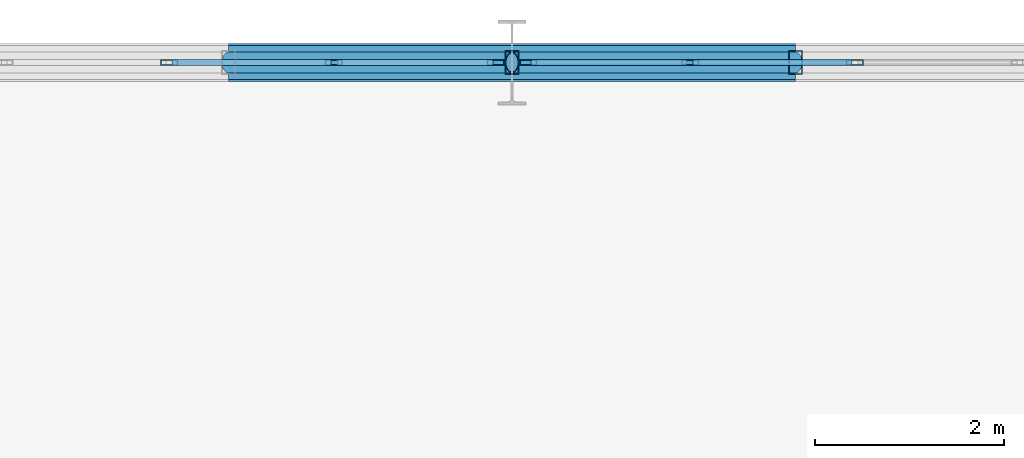
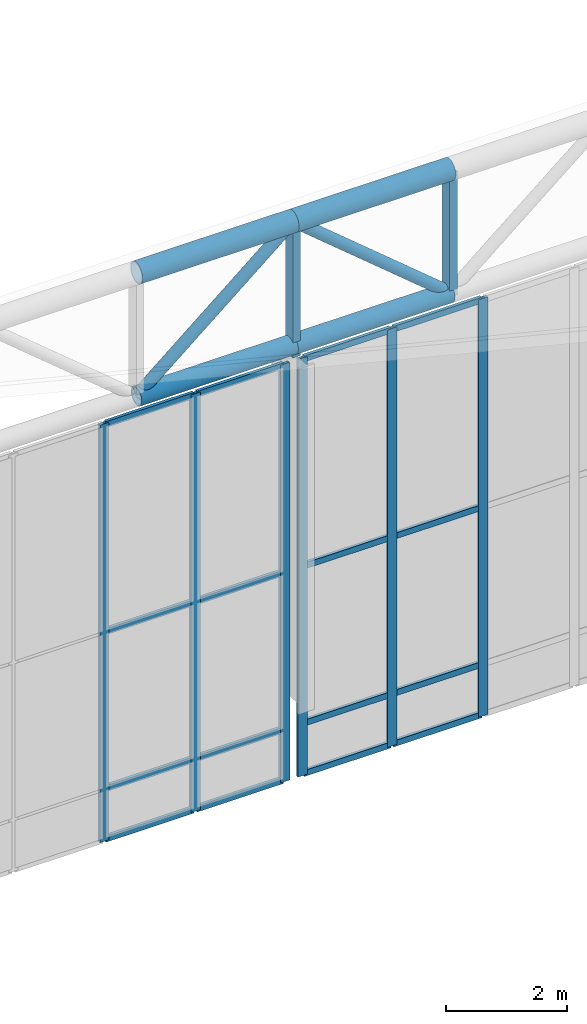
# One storey, part 133 of 239: 30 members, 2 elements without a shape of their own.
"""IFC4 building model written with IfcOpenShell, lengths in metres."""

from ifc_helpers import new_model, si_unit, direction, frame, origin, origin_2d, place, context, subcontext, project, spatial, hollow_rectangle, hollow_circle, extrude, material, material_profile, profile_set, type_object, element, aggregate, save


model = new_model("IFC4")

# Units and contexts
model_context = context("Model", 3, precision=1e-05, world=origin(), true_north=direction((0.0, 1.0)))
body_context = subcontext(model_context, "Body", "Model", "MODEL_VIEW")
ifc_project = project(units=[si_unit("LENGTHUNIT", "METRE"), si_unit("AREAUNIT", "SQUARE_METRE"), si_unit("VOLUMEUNIT", "CUBIC_METRE"), si_unit("PLANEANGLEUNIT", "RADIAN"), si_unit("MASSUNIT", "GRAM", prefix="KILO")], contexts=[model_context])

# Site, building, storey
site_placement = place(None, origin())
site = spatial("IfcSite", under=ifc_project, at=site_placement, CompositionType="ELEMENT")
building_placement = place(site_placement, origin())
building = spatial("IfcBuilding", under=site, at=building_placement, Name="Kaldris Quays Convention Centre", CompositionType="ELEMENT")
storey_placement = place(building_placement, frame((0.0, 0.0, 11.39990234375)))
storey = spatial("IfcBuildingStorey", under=building, at=storey_placement, Name="L02", CompositionType="ELEMENT", Elevation=11.39990234375)

# Curtain wall, members
ifc_material_1 = material(Name="Anodized aluminium AW-6060 and triple glazing", Category="aluminium")
curtain_wall_type = type_object("IfcCurtainWallType", Name="UNITISED CURTAIN WALL CW03", PredefinedType="NOTDEFINED", material=ifc_material_1)
curtain_wall_1_placement = place(storey_placement, origin())
curtain_wall_1 = element("IfcCurtainWall", 1, at=curtain_wall_1_placement, inside=storey, type_object=curtain_wall_type, Name="L02 Unitised Curtain Wall CW03 248", PredefinedType="NOTDEFINED")
ifc_material_2 = material(Name="Anodized aluminium AW-6060", Category="aluminium")
ifc_material_profile_1 = material_profile(ifc_material_2, hollow_rectangle(XDim=0.06005859375, YDim=0.179931640625, WallThickness=0.0048828125, at=origin_2d()), Name="RHS 180x60x5")
ifc_profile_set_1 = profile_set([ifc_material_profile_1], Name="Anodized aluminium AW-6060")
member_type_1 = type_object("IfcMemberType", Name="CURTAIN MULLION CWM2", PredefinedType="MULLION", material=ifc_profile_set_1)
member_1_placement = place(storey_placement, frame((115.3720703125, 140.0, -1.60498046875), z_axis=(0.0, 0.0, 1.0), x_axis=(0.0, 1.0, 0.0)))
member_1 = element("IfcMember", 2, at=member_1_placement, type_object=member_type_1, Name="CW03 mullion 4", PredefinedType="MULLION", context=body_context, shape_type="SweptSolid", body=[
    extrude(hollow_rectangle(XDim=0.06005859375, YDim=0.179931640625, WallThickness=0.0048828125, at=origin_2d()), origin(), (0.0, 0.0, 1.0), 8.455078125),
])
member_2_placement = place(storey_placement, frame((117.115966796875, 140.0, -1.60498046875), z_axis=(0.0, 0.0, 1.0), x_axis=(0.0, 1.0, 0.0)))
member_2 = element("IfcMember", 3, at=member_2_placement, type_object=member_type_1, Name="CW03 mullion 5", PredefinedType="MULLION", context=body_context, shape_type="SweptSolid", body=[
    extrude(hollow_rectangle(XDim=0.06005859375, YDim=0.179931640625, WallThickness=0.0048828125, at=origin_2d()), origin(), (0.0, 0.0, 1.0), 8.455078125),
])
member_3_placement = place(storey_placement, frame((118.830078125, 140.0, -1.60498046875), z_axis=(0.0, 0.0, 1.0), x_axis=(0.0, 1.0, 0.0)))
member_3 = element("IfcMember", 4, at=member_3_placement, type_object=member_type_1, Name="CW03 mullion 6", PredefinedType="MULLION", context=body_context, shape_type="SweptSolid", body=[
    extrude(hollow_rectangle(XDim=0.06005859375, YDim=0.179931640625, WallThickness=0.0048828125, at=origin_2d()), origin(), (0.0, 0.0, 1.0), 8.455078125),
])

curtain_wall_2_placement = place(storey_placement, origin())
curtain_wall_2 = element("IfcCurtainWall", 5, at=curtain_wall_2_placement, inside=storey, type_object=curtain_wall_type, Name="L02 Unitised Curtain Wall CW03 250", PredefinedType="NOTDEFINED")
member_4_placement = place(storey_placement, frame((119.169921875, 140.0, -1.60498046875), z_axis=(0.0, 0.0, 1.0), x_axis=(0.0, 1.0, 0.0)))
member_4 = element("IfcMember", 6, at=member_4_placement, type_object=member_type_1, Name="CW03 mullion 1", PredefinedType="MULLION", context=body_context, shape_type="SweptSolid", body=[
    extrude(hollow_rectangle(XDim=0.06005859375, YDim=0.179931640625, WallThickness=0.0048828125, at=origin_2d()), origin(), (0.0, 0.0, 1.0), 8.455078125),
])
member_5_placement = place(storey_placement, frame((120.884033203125, 140.0, -1.60498046875), z_axis=(0.0, 0.0, 1.0), x_axis=(0.0, 1.0, 0.0)))
member_5 = element("IfcMember", 7, at=member_5_placement, type_object=member_type_1, Name="CW03 mullion 2", PredefinedType="MULLION", context=body_context, shape_type="SweptSolid", body=[
    extrude(hollow_rectangle(XDim=0.06005859375, YDim=0.179931640625, WallThickness=0.0048828125, at=origin_2d()), origin(), (0.0, 0.0, 1.0), 8.455078125),
])
member_6_placement = place(storey_placement, frame((122.6279296875, 140.0, -1.60498046875), z_axis=(0.0, 0.0, 1.0), x_axis=(0.0, 1.0, 0.0)))
member_6 = element("IfcMember", 8, at=member_6_placement, type_object=member_type_1, Name="CW03 mullion 3", PredefinedType="MULLION", context=body_context, shape_type="SweptSolid", body=[
    extrude(hollow_rectangle(XDim=0.06005859375, YDim=0.179931640625, WallThickness=0.0048828125, at=origin_2d()), origin(), (0.0, 0.0, 1.0), 8.455078125),
])

# Member
ifc_material_profile_2 = material_profile(ifc_material_2, hollow_rectangle(XDim=0.06005859375, YDim=0.1201171875, WallThickness=0.00390625, at=origin_2d()), Name="RHS 120x60x4")
ifc_profile_set_2 = profile_set([ifc_material_profile_2], Name="Anodized aluminium AW-6060")
member_type_2 = type_object("IfcMemberType", Name="CURTAIN TRANSOM CWT1", PredefinedType="USERDEFINED", material=ifc_profile_set_2)
member_7_placement = place(storey_placement, frame((115.402099609375, 140.0, -1.574951171875), z_axis=(1.0, 0.0, 0.0), x_axis=(0.0, 1.0, 0.0)))
member_7 = element("IfcMember", 9, at=member_7_placement, type_object=member_type_2, Name="CW03 transom 4.1", ObjectType="TRANSOM", PredefinedType="USERDEFINED", context=body_context, shape_type="SweptSolid", body=[
    extrude(hollow_rectangle(XDim=0.06005859375, YDim=0.1201171875, WallThickness=0.00390625, at=origin_2d()), origin(), (0.0, 0.0, 1.0), 1.683837890625),
])

member_8_placement = place(storey_placement, frame((115.402099609375, 140.0, -0.554931640625), z_axis=(1.0, 0.0, 0.0), x_axis=(0.0, 1.0, 0.0)))
member_8 = element("IfcMember", 10, at=member_8_placement, type_object=member_type_2, Name="CW03 transom 4.2", ObjectType="TRANSOM", PredefinedType="USERDEFINED", context=body_context, shape_type="SweptSolid", body=[
    extrude(hollow_rectangle(XDim=0.06005859375, YDim=0.1201171875, WallThickness=0.00390625, at=origin_2d()), origin(), (0.0, 0.0, 1.0), 1.683837890625),
])

member_9_placement = place(storey_placement, frame((115.402099609375, 140.0, 2.623046875), z_axis=(1.0, 0.0, 0.0), x_axis=(0.0, 1.0, 0.0)))
member_9 = element("IfcMember", 11, at=member_9_placement, type_object=member_type_2, Name="CW03 transom 4.3", ObjectType="TRANSOM", PredefinedType="USERDEFINED", context=body_context, shape_type="SweptSolid", body=[
    extrude(hollow_rectangle(XDim=0.06005859375, YDim=0.1201171875, WallThickness=0.00390625, at=origin_2d()), origin(), (0.0, 0.0, 1.0), 1.683837890625),
])

member_10_placement = place(storey_placement, frame((115.402099609375, 140.0, 6.820068359375), z_axis=(1.0, 0.0, 0.0), x_axis=(0.0, 1.0, 0.0)))
member_10 = element("IfcMember", 12, at=member_10_placement, type_object=member_type_2, Name="CW03 transom 4.4", ObjectType="TRANSOM", PredefinedType="USERDEFINED", context=body_context, shape_type="SweptSolid", body=[
    extrude(hollow_rectangle(XDim=0.06005859375, YDim=0.1201171875, WallThickness=0.00390625, at=origin_2d()), origin(), (0.0, 0.0, 1.0), 1.683837890625),
])

member_11_placement = place(storey_placement, frame((117.14599609375, 140.0, -1.574951171875), z_axis=(1.0, 0.0, 0.0), x_axis=(0.0, 1.0, 0.0)))
member_11 = element("IfcMember", 13, at=member_11_placement, type_object=member_type_2, Name="CW03 transom 5.1", ObjectType="TRANSOM", PredefinedType="USERDEFINED", context=body_context, shape_type="SweptSolid", body=[
    extrude(hollow_rectangle(XDim=0.06005859375, YDim=0.1201171875, WallThickness=0.00390625, at=origin_2d()), origin(), (0.0, 0.0, 1.0), 1.654052734375),
])

member_12_placement = place(storey_placement, frame((117.14599609375, 140.0, -0.554931640625), z_axis=(1.0, 0.0, 0.0), x_axis=(0.0, 1.0, 0.0)))
member_12 = element("IfcMember", 14, at=member_12_placement, type_object=member_type_2, Name="CW03 transom 5.2", ObjectType="TRANSOM", PredefinedType="USERDEFINED", context=body_context, shape_type="SweptSolid", body=[
    extrude(hollow_rectangle(XDim=0.06005859375, YDim=0.1201171875, WallThickness=0.00390625, at=origin_2d()), origin(), (0.0, 0.0, 1.0), 1.654052734375),
])

member_13_placement = place(storey_placement, frame((117.14599609375, 140.0, 2.623046875), z_axis=(1.0, 0.0, 0.0), x_axis=(0.0, 1.0, 0.0)))
member_13 = element("IfcMember", 15, at=member_13_placement, type_object=member_type_2, Name="CW03 transom 5.3", ObjectType="TRANSOM", PredefinedType="USERDEFINED", context=body_context, shape_type="SweptSolid", body=[
    extrude(hollow_rectangle(XDim=0.06005859375, YDim=0.1201171875, WallThickness=0.00390625, at=origin_2d()), origin(), (0.0, 0.0, 1.0), 1.654052734375),
])

member_14_placement = place(storey_placement, frame((117.14599609375, 140.0, 6.820068359375), z_axis=(1.0, 0.0, 0.0), x_axis=(0.0, 1.0, 0.0)))
member_14 = element("IfcMember", 16, at=member_14_placement, type_object=member_type_2, Name="CW03 transom 5.4", ObjectType="TRANSOM", PredefinedType="USERDEFINED", context=body_context, shape_type="SweptSolid", body=[
    extrude(hollow_rectangle(XDim=0.06005859375, YDim=0.1201171875, WallThickness=0.00390625, at=origin_2d()), origin(), (0.0, 0.0, 1.0), 1.654052734375),
])

aggregate(curtain_wall_1, [member_1, member_2, member_3, member_7, member_8, member_9, member_10, member_11, member_12, member_13, member_14])

member_15_placement = place(storey_placement, frame((119.199951171875, 140.0, -1.574951171875), z_axis=(1.0, 0.0, 0.0), x_axis=(0.0, 1.0, 0.0)))
member_15 = element("IfcMember", 17, at=member_15_placement, type_object=member_type_2, Name="CW03 transom 1.1", ObjectType="TRANSOM", PredefinedType="USERDEFINED", context=body_context, shape_type="SweptSolid", body=[
    extrude(hollow_rectangle(XDim=0.06005859375, YDim=0.1201171875, WallThickness=0.00390625, at=origin_2d()), origin(), (0.0, 0.0, 1.0), 1.654052734375),
])

member_16_placement = place(storey_placement, frame((119.199951171875, 140.0, -0.554931640625), z_axis=(1.0, 0.0, 0.0), x_axis=(0.0, 1.0, 0.0)))
member_16 = element("IfcMember", 18, at=member_16_placement, type_object=member_type_2, Name="CW03 transom 1.2", ObjectType="TRANSOM", PredefinedType="USERDEFINED", context=body_context, shape_type="SweptSolid", body=[
    extrude(hollow_rectangle(XDim=0.06005859375, YDim=0.1201171875, WallThickness=0.00390625, at=origin_2d()), origin(), (0.0, 0.0, 1.0), 1.654052734375),
])

member_17_placement = place(storey_placement, frame((119.199951171875, 140.0, 2.623046875), z_axis=(1.0, 0.0, 0.0), x_axis=(0.0, 1.0, 0.0)))
member_17 = element("IfcMember", 19, at=member_17_placement, type_object=member_type_2, Name="CW03 transom 1.3", ObjectType="TRANSOM", PredefinedType="USERDEFINED", context=body_context, shape_type="SweptSolid", body=[
    extrude(hollow_rectangle(XDim=0.06005859375, YDim=0.1201171875, WallThickness=0.00390625, at=origin_2d()), origin(), (0.0, 0.0, 1.0), 1.654052734375),
])

member_18_placement = place(storey_placement, frame((119.199951171875, 140.0, 6.820068359375), z_axis=(1.0, 0.0, 0.0), x_axis=(0.0, 1.0, 0.0)))
member_18 = element("IfcMember", 20, at=member_18_placement, type_object=member_type_2, Name="CW03 transom 1.4", ObjectType="TRANSOM", PredefinedType="USERDEFINED", context=body_context, shape_type="SweptSolid", body=[
    extrude(hollow_rectangle(XDim=0.06005859375, YDim=0.1201171875, WallThickness=0.00390625, at=origin_2d()), origin(), (0.0, 0.0, 1.0), 1.654052734375),
])

member_19_placement = place(storey_placement, frame((120.9140625, 140.0, -1.574951171875), z_axis=(1.0, 0.0, 0.0), x_axis=(0.0, 1.0, 0.0)))
member_19 = element("IfcMember", 21, at=member_19_placement, type_object=member_type_2, Name="CW03 transom 2.1", ObjectType="TRANSOM", PredefinedType="USERDEFINED", context=body_context, shape_type="SweptSolid", body=[
    extrude(hollow_rectangle(XDim=0.06005859375, YDim=0.1201171875, WallThickness=0.00390625, at=origin_2d()), origin(), (0.0, 0.0, 1.0), 1.683837890625),
])

member_20_placement = place(storey_placement, frame((120.9140625, 140.0, -0.554931640625), z_axis=(1.0, 0.0, 0.0), x_axis=(0.0, 1.0, 0.0)))
member_20 = element("IfcMember", 22, at=member_20_placement, type_object=member_type_2, Name="CW03 transom 2.2", ObjectType="TRANSOM", PredefinedType="USERDEFINED", context=body_context, shape_type="SweptSolid", body=[
    extrude(hollow_rectangle(XDim=0.06005859375, YDim=0.1201171875, WallThickness=0.00390625, at=origin_2d()), origin(), (0.0, 0.0, 1.0), 1.683837890625),
])

member_21_placement = place(storey_placement, frame((120.9140625, 140.0, 2.623046875), z_axis=(1.0, 0.0, 0.0), x_axis=(0.0, 1.0, 0.0)))
member_21 = element("IfcMember", 23, at=member_21_placement, type_object=member_type_2, Name="CW03 transom 2.3", ObjectType="TRANSOM", PredefinedType="USERDEFINED", context=body_context, shape_type="SweptSolid", body=[
    extrude(hollow_rectangle(XDim=0.06005859375, YDim=0.1201171875, WallThickness=0.00390625, at=origin_2d()), origin(), (0.0, 0.0, 1.0), 1.683837890625),
])

member_22_placement = place(storey_placement, frame((120.9140625, 140.0, 6.820068359375), z_axis=(1.0, 0.0, 0.0), x_axis=(0.0, 1.0, 0.0)))
member_22 = element("IfcMember", 24, at=member_22_placement, type_object=member_type_2, Name="CW03 transom 2.4", ObjectType="TRANSOM", PredefinedType="USERDEFINED", context=body_context, shape_type="SweptSolid", body=[
    extrude(hollow_rectangle(XDim=0.06005859375, YDim=0.1201171875, WallThickness=0.00390625, at=origin_2d()), origin(), (0.0, 0.0, 1.0), 1.683837890625),
])

aggregate(curtain_wall_2, [member_4, member_5, member_6, member_15, member_16, member_17, member_18, member_19, member_20, member_21, member_22])

# Members
ifc_material_3 = material(Name="Steel S355J2H", Category="steel")
ifc_material_profile_3 = material_profile(ifc_material_3, hollow_circle(Radius=0.203125, WallThickness=0.01611328125, at=origin_2d()), Name="CHS 406.4x16")
ifc_profile_set_3 = profile_set([ifc_material_profile_3], Name="Steel S355J2H")
member_type_3 = type_object("IfcMemberType", Name="STRUCTURAL MEMBER SC01", PredefinedType="CHORD", material=ifc_profile_set_3)
for number, where, z_axis, x_axis, name in (
    (25, (116.0, 140.0, 9.671875), (1.0, 0.0, 0.0), (0.0, 1.0, 0.0), "SF-V1 Top Chord X 327"),
    (26, (119.0, 140.0, 9.671875), (1.0, 0.0, 0.0), (0.0, 1.0, 0.0), "SF-V1 Top Chord X 328"),
):
    element("IfcMember", number, at=place(storey_placement, frame(where, z_axis=z_axis, x_axis=x_axis)), inside=storey, type_object=member_type_3, Name=name, PredefinedType="CHORD", context=body_context, shape_type="SweptSolid", body=[
        extrude(hollow_circle(Radius=0.203125, WallThickness=0.01611328125, at=origin_2d()), origin(), (0.0, 0.0, 1.0), 3.0),
    ])
ifc_material_profile_4 = material_profile(ifc_material_3, hollow_circle(Radius=0.177734375, WallThickness=0.01611328125, at=origin_2d()), Name="CHS 355.6x16")
ifc_profile_set_4 = profile_set([ifc_material_profile_4], Name="Steel S355J2H")
member_type_4 = type_object("IfcMemberType", Name="STRUCTURAL MEMBER SC02", PredefinedType="CHORD", material=ifc_profile_set_4)
for number, where, z_axis, x_axis, name in (
    (27, (116.0, 140.0, 7.171875), (1.0, 0.0, 0.0), (0.0, 1.0, 0.0), "SF-V1 Bottom Chord X 327"),
    (28, (119.0, 140.0, 7.171875), (1.0, 0.0, 0.0), (0.0, 1.0, 0.0), "SF-V1 Bottom Chord X 328"),
):
    element("IfcMember", number, at=place(storey_placement, frame(where, z_axis=z_axis, x_axis=x_axis)), inside=storey, type_object=member_type_4, Name=name, PredefinedType="CHORD", context=body_context, shape_type="SweptSolid", body=[
        extrude(hollow_circle(Radius=0.177734375, WallThickness=0.01611328125, at=origin_2d()), origin(), (0.0, 0.0, 1.0), 3.0),
    ])
ifc_material_profile_5 = material_profile(ifc_material_3, hollow_circle(Radius=0.109619140625, WallThickness=0.010009765625, at=origin_2d()), Name="CHS 219.1x10")
ifc_profile_set_5 = profile_set([ifc_material_profile_5], Name="Steel S355J2H")
member_type_5 = type_object("IfcMemberType", Name="STRUCTURAL MEMBER SWB1", PredefinedType="BRACE", material=ifc_profile_set_5)
for number, where, z_axis, x_axis, name in (
    (29, (116.0, 140.0, 7.171875), (0.768221279597, 0.0, 0.640184399664), (0.0, 1.0, 0.0), "SF-V1 Web Diagonal X 327"),
    (30, (122.0, 140.0, 7.171875), (-0.768221279597, 0.0, 0.640184399664), (0.0, -1.0, 0.0), "SF-V1 Web Diagonal X 328"),
):
    element("IfcMember", number, at=place(storey_placement, frame(where, z_axis=z_axis, x_axis=x_axis)), inside=storey, type_object=member_type_5, Name=name, PredefinedType="BRACE", context=body_context, shape_type="SweptSolid", body=[
        extrude(hollow_circle(Radius=0.109619140625, WallThickness=0.010009765625, at=origin_2d()), origin(), (0.0, 0.0, 1.0), 3.905029296875),
    ])
ifc_material_profile_6 = material_profile(ifc_material_3, hollow_rectangle(XDim=0.14990234375, YDim=0.25, WallThickness=0.010009765625, at=origin_2d()), Name="RHS 250x150x10")
ifc_profile_set_6 = profile_set([ifc_material_profile_6], Name="Steel S355J2H")
member_type_6 = type_object("IfcMemberType", Name="STRUCTURAL MEMBER TTV1", PredefinedType="POST", material=ifc_profile_set_6)
member_23_placement = place(storey_placement, frame((119.0, 140.0, 6.994140625), z_axis=(0.0, 0.0, 1.0), x_axis=(1.0, 0.0, 0.0)))
element("IfcMember", 31, at=member_23_placement, inside=storey, type_object=member_type_6, Name="SF-V1 Space-Frame Post 398", PredefinedType="POST", context=body_context, shape_type="SweptSolid", body=[
    extrude(hollow_rectangle(XDim=0.14990234375, YDim=0.25, WallThickness=0.010009765625, at=origin_2d()), origin(), (0.0, 0.0, 1.0), 2.677734375),
])
member_24_placement = place(storey_placement, frame((122.0, 140.0, 7.171875), z_axis=(0.0, 0.0, 1.0), x_axis=(1.0, 0.0, 0.0)))
element("IfcMember", 32, at=member_24_placement, inside=storey, type_object=member_type_6, Name="SF-V1 Space-Frame Post 406", PredefinedType="POST", context=body_context, shape_type="SweptSolid", body=[
    extrude(hollow_rectangle(XDim=0.14990234375, YDim=0.25, WallThickness=0.010009765625, at=origin_2d()), origin(), (0.0, 0.0, 1.0), 2.5),
])

save(model, "model.ifc")
